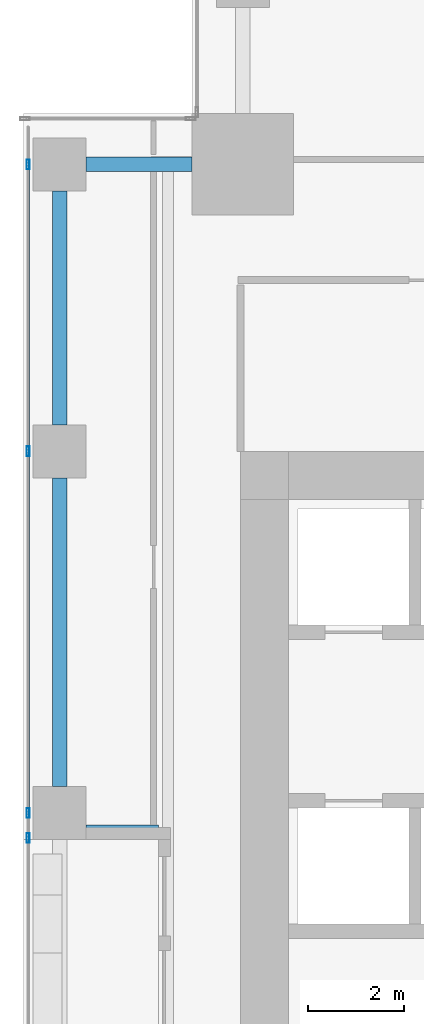
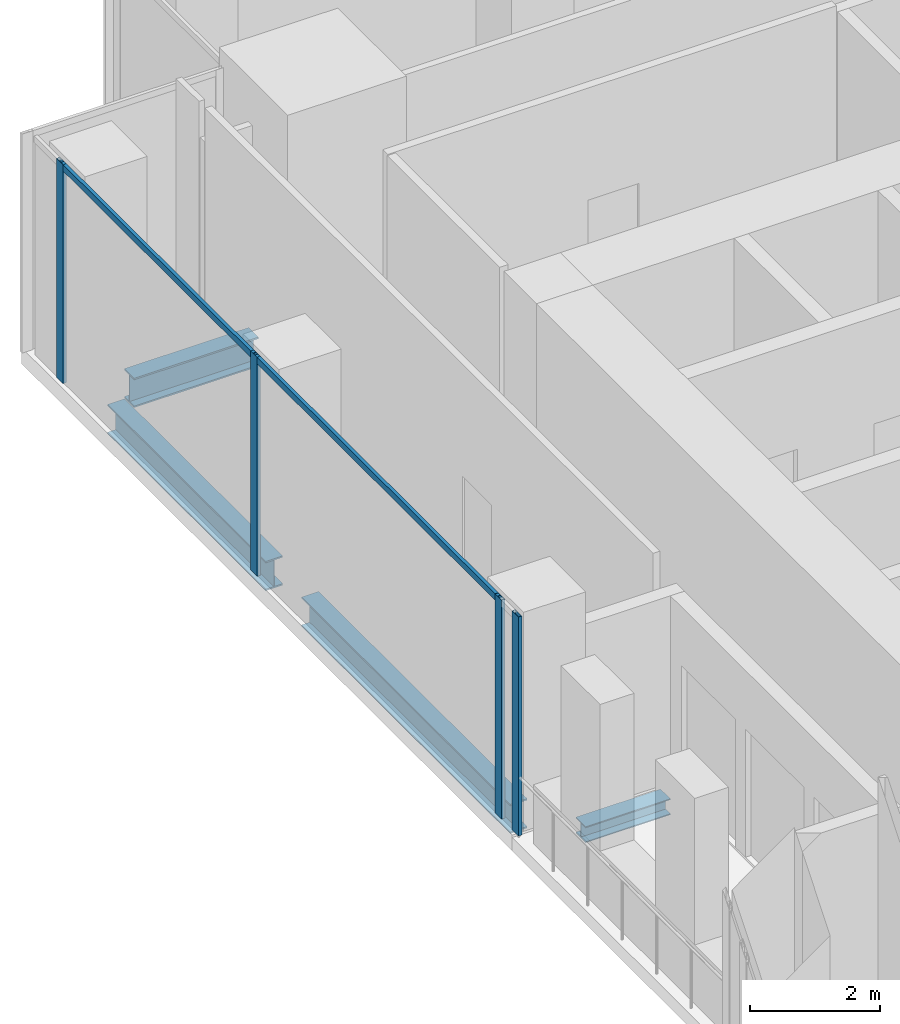
# One storey, part 14 of 35: 6 members, 4 beams, 1 element without a shape of its own.
"""IFC4 building model written with IfcOpenShell, lengths in metres."""

from ifc_helpers import new_model, si_unit, direction, frame, origin, origin_2d, place, context, subcontext, project, spatial, hollow_rectangle, i_section, extrude, source, transform, mapped, material, material_profile, profile_set, type_object, element, aggregate, save


model = new_model("IFC4")

# Units and contexts
model_context = context("Model", 3, precision=1e-05, world=origin(), true_north=direction((0.0, 1.0)))
body_context = subcontext(model_context, "Body", "Model", "MODEL_VIEW")
ifc_project = project(units=[si_unit("LENGTHUNIT", "METRE"), si_unit("AREAUNIT", "SQUARE_METRE"), si_unit("VOLUMEUNIT", "CUBIC_METRE"), si_unit("PLANEANGLEUNIT", "RADIAN"), si_unit("MASSUNIT", "GRAM", prefix="KILO")], contexts=[model_context])

# Site, building, storey
site_placement = place(None, origin())
site = spatial("IfcSite", under=ifc_project, at=site_placement, CompositionType="ELEMENT")
building_placement = place(site_placement, origin())
building = spatial("IfcBuilding", under=site, at=building_placement, Name="Khomas Fold Tower", CompositionType="ELEMENT")
storey_placement = place(building_placement, frame((0.0, 0.0, 132.300048828125)))
storey = spatial("IfcBuildingStorey", under=building, at=storey_placement, Name="L28", CompositionType="ELEMENT", Elevation=132.300048828125)

# Beams
ifc_material_1 = material(Name="Steel S355", Category="steel")
ifc_material_profile_1 = material_profile(ifc_material_1, i_section(OverallWidth=0.300048828125, OverallDepth=0.550048828125, WebThickness=0.014892578125, FlangeThickness=0.029052734375, at=origin_2d()), Name="HE 550 B")
ifc_profile_set_1 = profile_set([ifc_material_profile_1], Name="Steel S355")
beam_type_1 = type_object("IfcBeamType", Name="HE 550 B spandrel SB2", PredefinedType="SPANDREL", material=ifc_profile_set_1)
shared_shape_1 = source(origin(), body_context, "Body", "SweptSolid", [
    extrude(i_section(OverallWidth=0.300048828125, OverallDepth=0.550048828125, WebThickness=0.014892578125, FlangeThickness=0.029052734375, at=origin_2d()), origin(), (0.0, 0.0, 1.0), 4.849853515625),
])
beam_1_placement = place(storey_placement, frame((2.25, 42.550048828125, -0.574951171875), z_axis=(0.0, 1.0, 0.0), x_axis=(-1.0, 0.0, 0.0)))
element("IfcBeam", 1, at=beam_1_placement, inside=storey, type_object=beam_type_1, Name="SB2", PredefinedType="SPANDREL", context=body_context, shape_type="MappedRepresentation", body=[
    mapped(shared_shape_1, transform((0.0, 0.0, 0.0))),
])
shared_shape_2 = source(origin(), body_context, "Body", "SweptSolid", [
    extrude(i_section(OverallWidth=0.300048828125, OverallDepth=0.550048828125, WebThickness=0.014892578125, FlangeThickness=0.029052734375, at=origin_2d()), origin(), (0.0, 0.0, 1.0), 6.39990234375),
])
beam_2_placement = place(storey_placement, frame((2.25, 35.050048828125, -0.574951171875), z_axis=(0.0, 1.0, 0.0), x_axis=(-1.0, 0.0, 0.0)))
element("IfcBeam", 2, at=beam_2_placement, inside=storey, type_object=beam_type_1, Name="SB2", PredefinedType="SPANDREL", context=body_context, shape_type="MappedRepresentation", body=[
    mapped(shared_shape_2, transform((0.0, 0.0, 0.0))),
])
shared_shape_3 = source(origin(), body_context, "Body", "SweptSolid", [
    extrude(i_section(OverallWidth=0.300048828125, OverallDepth=0.550048828125, WebThickness=0.014892578125, FlangeThickness=0.029052734375, at=origin_2d()), origin(), (0.0, 0.0, 1.0), 2.199951171875),
])
beam_3_placement = place(storey_placement, frame((2.800048828125, 47.949951171875, -0.574951171875), z_axis=(1.0, 0.0, 0.0), x_axis=(0.0, 1.0, 0.0)))
element("IfcBeam", 3, at=beam_3_placement, inside=storey, type_object=beam_type_1, Name="SB2", PredefinedType="SPANDREL", context=body_context, shape_type="MappedRepresentation", body=[
    mapped(shared_shape_3, transform((0.0, 0.0, 0.0))),
])
ifc_material_2 = material(Name="Steel S355", Category="steel")
ifc_material_profile_2 = material_profile(ifc_material_2, i_section(OverallWidth=0.300048828125, OverallDepth=0.300048828125, WebThickness=0.010986328125, FlangeThickness=0.01904296875, at=origin_2d()), Name="HE 300 B")
ifc_profile_set_2 = profile_set([ifc_material_profile_2], Name="Steel S355")
beam_type_2 = type_object("IfcBeamType", Name="HE 300 B beam BB1", PredefinedType="BEAM", material=ifc_profile_set_2)
shared_shape_4 = source(origin(), body_context, "Body", "SweptSolid", [
    extrude(i_section(OverallWidth=0.300048828125, OverallDepth=0.300048828125, WebThickness=0.010986328125, FlangeThickness=0.01904296875, at=origin_2d()), origin(), (0.0, 0.0, 1.0), 1.5),
])
beam_4_placement = place(storey_placement, frame((2.800048828125, 34.10009765625, -0.449951171875), z_axis=(1.0, 0.0, 0.0), x_axis=(0.0, 1.0, 0.0)))
element("IfcBeam", 4, at=beam_4_placement, inside=storey, type_object=beam_type_2, Name="BB1", PredefinedType="BEAM", context=body_context, shape_type="MappedRepresentation", body=[
    mapped(shared_shape_4, transform((0.0, 0.0, 0.0))),
])

# Curtain wall, members
ifc_material_3 = material(Name="Aluminium framed double glazing", Category="aluminium")
curtain_wall_type = type_object("IfcCurtainWallType", Name="SK-Unitised clear-glass wall, growing floors CW1", PredefinedType="NOTDEFINED", material=ifc_material_3)
curtain_wall_placement = place(storey_placement, origin())
curtain_wall = element("IfcCurtainWall", 5, at=curtain_wall_placement, inside=storey, type_object=curtain_wall_type, Name="CW1 run L28 09-0", PredefinedType="NOTDEFINED")
ifc_material_4 = material(Name="Aluminium", Category="aluminium")
ifc_material_profile_3 = material_profile(ifc_material_4, hollow_rectangle(XDim=0.06005859375, YDim=0.1201171875, WallThickness=0.00390625, at=origin_2d()), Name="SK-Unitised clear-glass wall, growing floors transom CW1-T")
ifc_profile_set_3 = profile_set([ifc_material_profile_3], Name="Aluminium")
member_type_1 = type_object("IfcMemberType", Name="SK-Unitised clear-glass wall, growing floors transom CW1-T", PredefinedType="USERDEFINED", material=ifc_profile_set_3)
shared_shape_5 = source(origin(), body_context, "Body", "SweptSolid", [
    extrude(hollow_rectangle(XDim=0.06005859375, YDim=0.1201171875, WallThickness=0.00390625, at=origin_2d()), origin(), (0.0, 0.0, 1.0), 7.43994140625),
])
member_1_placement = place(storey_placement, frame((1.60009765625, 41.969970703125, 4.0400390625), z_axis=(0.0, -1.0, 0.0), x_axis=(1.0, 0.0, 0.0)))
member_1 = element("IfcMember", 6, at=member_1_placement, type_object=member_type_1, Name="CW1 transom 3", ObjectType="TRANSOM", PredefinedType="USERDEFINED", context=body_context, shape_type="MappedRepresentation", body=[
    mapped(shared_shape_5, transform((0.0, 0.0, 0.0))),
])
shared_shape_6 = source(origin(), body_context, "Body", "SweptSolid", [
    extrude(hollow_rectangle(XDim=0.06005859375, YDim=0.1201171875, WallThickness=0.00390625, at=origin_2d()), origin(), (0.0, 0.0, 1.0), 5.889892578125),
])
member_2_placement = place(storey_placement, frame((1.60009765625, 47.919921875, 4.0400390625), z_axis=(0.0, -1.0, 0.0), x_axis=(1.0, 0.0, 0.0)))
member_2 = element("IfcMember", 7, at=member_2_placement, type_object=member_type_1, Name="CW1 transom 2", ObjectType="TRANSOM", PredefinedType="USERDEFINED", context=body_context, shape_type="MappedRepresentation", body=[
    mapped(shared_shape_6, transform((0.0, 0.0, 0.0))),
])
ifc_material_5 = material(Name="Aluminium", Category="aluminium")
ifc_material_profile_4 = material_profile(ifc_material_5, hollow_rectangle(XDim=0.06005859375, YDim=0.199951171875, WallThickness=0.00390625, at=origin_2d()), Name="SK-Unitised clear-glass wall, growing floors mullion CW1-M")
ifc_profile_set_4 = profile_set([ifc_material_profile_4], Name="Aluminium")
member_type_2 = type_object("IfcMemberType", Name="SK-Unitised clear-glass wall, growing floors mullion CW1-M", PredefinedType="MULLION", material=ifc_profile_set_4)
shared_shape_7 = source(origin(), body_context, "Body", "SweptSolid", [
    extrude(hollow_rectangle(XDim=0.06005859375, YDim=0.199951171875, WallThickness=0.00390625, at=origin_2d()), origin(), (0.0, 0.0, 1.0), 4.099853515625),
])
member_3_placement = place(storey_placement, frame((1.60009765625, 47.949951171875, 0.0), z_axis=(0.0, 0.0, 1.0), x_axis=(1.0, 0.0, 0.0)))
member_3 = element("IfcMember", 8, at=member_3_placement, type_object=member_type_2, Name="CW1 mullion 2", PredefinedType="MULLION", context=body_context, shape_type="MappedRepresentation", body=[
    mapped(shared_shape_7, transform((0.0, 0.0, 0.0))),
])
member_4_placement = place(storey_placement, frame((1.60009765625, 42.0, 0.0), z_axis=(0.0, 0.0, 1.0), x_axis=(1.0, 0.0, 0.0)))
member_4 = element("IfcMember", 9, at=member_4_placement, type_object=member_type_2, Name="CW1 mullion 3", PredefinedType="MULLION", context=body_context, shape_type="MappedRepresentation", body=[
    mapped(shared_shape_7, transform((0.0, 0.0, 0.0))),
])
member_5_placement = place(storey_placement, frame((1.60009765625, 34.5, 0.0), z_axis=(0.0, 0.0, 1.0), x_axis=(1.0, 0.0, 0.0)))
member_5 = element("IfcMember", 10, at=member_5_placement, type_object=member_type_2, Name="CW1 mullion 4", PredefinedType="MULLION", context=body_context, shape_type="MappedRepresentation", body=[
    mapped(shared_shape_7, transform((0.0, 0.0, 0.0))),
])
member_6_placement = place(storey_placement, frame((1.60009765625, 33.97998046875, 0.0), z_axis=(0.0, 0.0, 1.0), x_axis=(1.0, 0.0, 0.0)))
member_6 = element("IfcMember", 11, at=member_6_placement, type_object=member_type_2, Name="CW1 mullion 5", PredefinedType="MULLION", context=body_context, shape_type="MappedRepresentation", body=[
    mapped(shared_shape_7, transform((0.0, 0.0, 0.0))),
])
aggregate(curtain_wall, [member_3, member_4, member_5, member_6, member_2, member_1])

save(model, "model.ifc")
